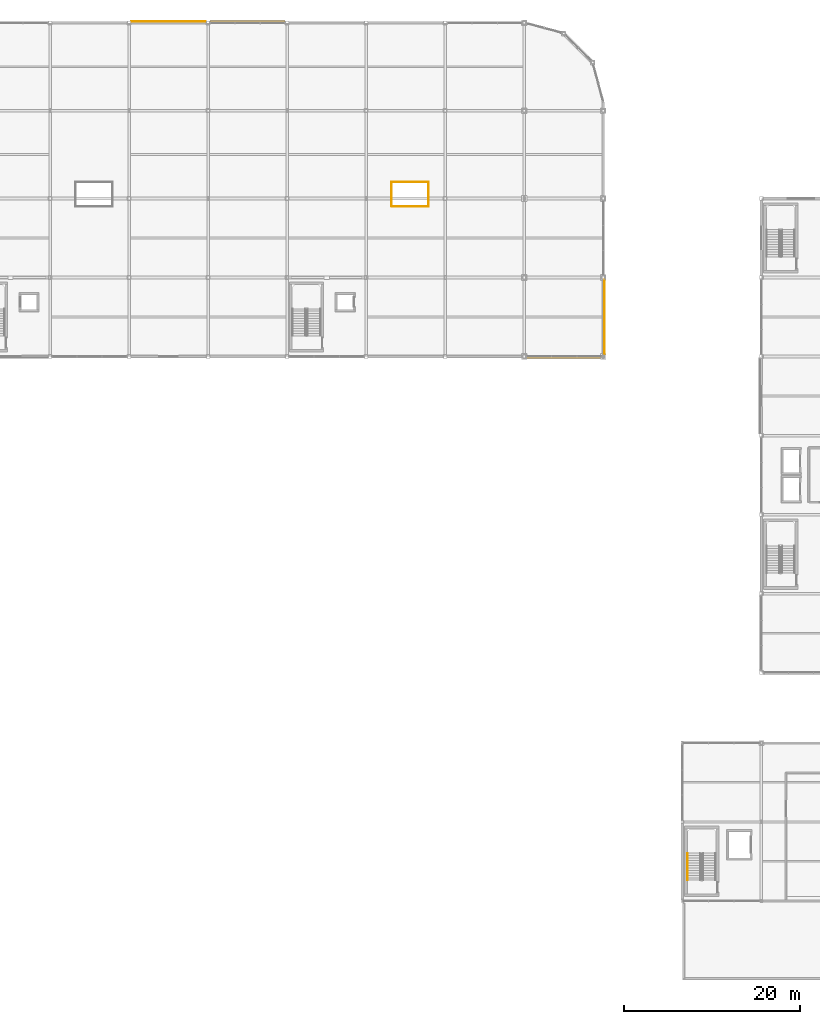
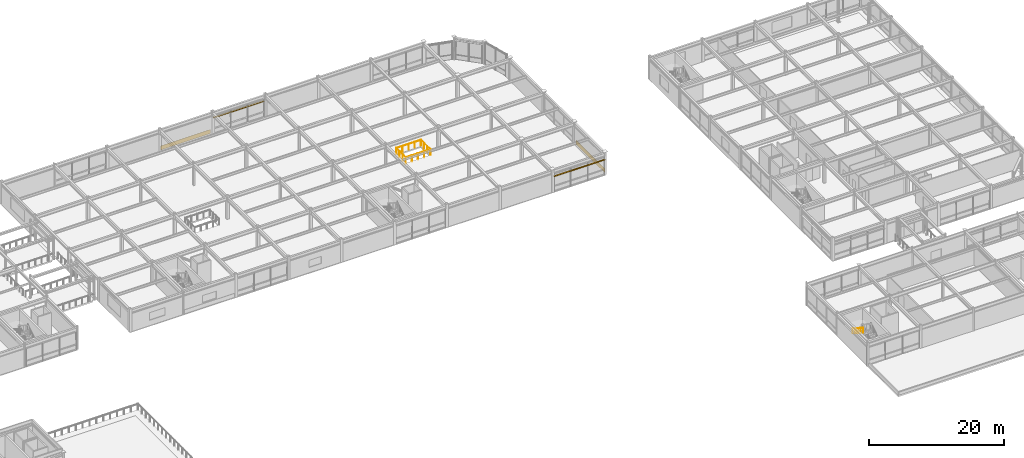
# One storey, part 64 of 70: 3 railings, 2 coverings, 2 shading devices.
"""IFC4 building model written with IfcOpenShell, lengths in metres."""

from ifc_helpers import new_model, si_unit, direction, frame, origin, origin_2d, place, context, subcontext, project, spatial, rectangle, circle, extrude, material, layer, layer_set, material_profile, profile_set, type_object, element, save


model = new_model("IFC4")

# Units and contexts
model_context = context("Model", 3, precision=1e-05, world=origin(), true_north=direction((0.0, 1.0)))
body_context = subcontext(model_context, "Body", "Model", "MODEL_VIEW")
ifc_project = project(units=[si_unit("LENGTHUNIT", "METRE"), si_unit("AREAUNIT", "SQUARE_METRE"), si_unit("VOLUMEUNIT", "CUBIC_METRE"), si_unit("PLANEANGLEUNIT", "RADIAN"), si_unit("MASSUNIT", "GRAM", prefix="KILO")], contexts=[model_context])

# Site, building, storey
site_placement = place(None, origin())
site = spatial("IfcSite", under=ifc_project, at=site_placement, CompositionType="ELEMENT")
building_placement = place(site_placement, origin())
building = spatial("IfcBuilding", under=site, at=building_placement, Name="Suzunagisa Mobility Hub", CompositionType="ELEMENT")
storey_placement = place(building_placement, frame((0.0, 0.0, 13.5)))
storey = spatial("IfcBuildingStorey", under=building, at=storey_placement, Name="L03", CompositionType="ELEMENT", Elevation=13.5)

# Railings
ifc_material_1 = material(Name="Stainless Steel SUS304", Category="metal")
railing_type_1 = type_object("IfcRailingType", Name="Interior Well Guardrail IGR-01", PredefinedType="GUARDRAIL", material=ifc_material_1)
railing_1_placement = place(storey_placement, frame((101.89990234375, 99.840087890625, 0.0)))
element("IfcRailing", 1, at=railing_1_placement, inside=storey, type_object=railing_type_1, Name="L03 Smoke-Relief Lightwell Guardrail LG-63S", PredefinedType="GUARDRAIL", context=body_context, shape_type="SweptSolid", body=[
    extrude(circle(Radius=0.02392578125, at=origin_2d()), frame((0.0, 0.0, 1.09619140625), z_axis=(0.0, -1.0, 0.0), x_axis=(1.0, 0.0, 0.0)), (0.0, 0.0, 1.0), 2.739990234375),
    extrude(circle(Radius=0.02392578125, at=origin_2d()), frame((0.0, -2.739990234375, 1.09619140625), z_axis=(1.0, 0.0, 0.0), x_axis=(0.0, 1.0, 0.0)), (0.0, 0.0, 1.0), 4.2001953125),
    extrude(circle(Radius=0.02099609375, at=origin_2d()), origin(), (0.0, 0.0, 1.0), 1.072021484375),
    extrude(circle(Radius=0.02099609375, at=origin_2d()), frame((0.0, -0.913330078125, 0.0)), (0.0, 0.0, 1.0), 1.072021484375),
    extrude(circle(Radius=0.02099609375, at=origin_2d()), frame((0.0, -1.82666015625, 0.0)), (0.0, 0.0, 1.0), 1.072021484375),
    extrude(circle(Radius=0.02099609375, at=origin_2d()), frame((0.0, -2.739990234375, 0.0)), (0.0, 0.0, 1.0), 1.072021484375),
    extrude(circle(Radius=0.02099609375, at=origin_2d()), frame((1.050048828125, -2.739990234375, 0.0)), (0.0, 0.0, 1.0), 1.072021484375),
    extrude(circle(Radius=0.02099609375, at=origin_2d()), frame((2.10009765625, -2.739990234375, 0.0)), (0.0, 0.0, 1.0), 1.072021484375),
    extrude(circle(Radius=0.02099609375, at=origin_2d()), frame((3.150146484375, -2.739990234375, 0.0)), (0.0, 0.0, 1.0), 1.072021484375),
    extrude(circle(Radius=0.02099609375, at=origin_2d()), frame((4.2001953125, -2.739990234375, 0.0)), (0.0, 0.0, 1.0), 1.072021484375),
])
railing_2_placement = place(storey_placement, frame((106.10009765625, 97.159912109375, 0.0)))
element("IfcRailing", 2, at=railing_2_placement, inside=storey, type_object=railing_type_1, Name="L03 Smoke-Relief Lightwell Guardrail LG-64N", PredefinedType="GUARDRAIL", context=body_context, shape_type="SweptSolid", body=[
    extrude(circle(Radius=0.02392578125, at=origin_2d()), frame((0.0, 0.0, 1.09619140625), z_axis=(0.0, 1.0, 0.0), x_axis=(-1.0, 0.0, 0.0)), (0.0, 0.0, 1.0), 2.739990234375),
    extrude(circle(Radius=0.02392578125, at=origin_2d()), frame((0.0, 2.739990234375, 1.09619140625), z_axis=(-1.0, 0.0, 0.0), x_axis=(0.0, -1.0, 0.0)), (0.0, 0.0, 1.0), 4.2001953125),
    extrude(circle(Radius=0.02099609375, at=origin_2d()), origin(), (0.0, 0.0, 1.0), 1.072021484375),
    extrude(circle(Radius=0.02099609375, at=origin_2d()), frame((0.0, 0.913330078125, 0.0)), (0.0, 0.0, 1.0), 1.072021484375),
    extrude(circle(Radius=0.02099609375, at=origin_2d()), frame((0.0, 1.82666015625, 0.0)), (0.0, 0.0, 1.0), 1.072021484375),
    extrude(circle(Radius=0.02099609375, at=origin_2d()), frame((0.0, 2.739990234375, 0.0)), (0.0, 0.0, 1.0), 1.072021484375),
    extrude(circle(Radius=0.02099609375, at=origin_2d()), frame((-1.050048828125, 2.739990234375, 0.0)), (0.0, 0.0, 1.0), 1.072021484375),
    extrude(circle(Radius=0.02099609375, at=origin_2d()), frame((-2.10009765625, 2.739990234375, 0.0)), (0.0, 0.0, 1.0), 1.072021484375),
    extrude(circle(Radius=0.02099609375, at=origin_2d()), frame((-3.150146484375, 2.739990234375, 0.0)), (0.0, 0.0, 1.0), 1.072021484375),
    extrude(circle(Radius=0.02099609375, at=origin_2d()), frame((-4.2001953125, 2.739990234375, 0.0)), (0.0, 0.0, 1.0), 1.072021484375),
])

# Coverings
ifc_material_2 = material(Name="Vitreous Porcelain Enamel Aluminum Cladding", Category="aluminium")
ifc_layer = layer(ifc_material_2, 0.034912109375)
ifc_layer_set = layer_set([ifc_layer], Name="Vitreous Porcelain Enamel Aluminum Cladding")
covering_type = type_object("IfcCoveringType", Name="Porcelain Enamel Spandrel Cladding Band CLD-01", PredefinedType="CLADDING", material=ifc_layer_set)
for number, where, z_axis, x_axis, name in (
    (3, (126.137451171875, 84.5, 0.06005859375), (0.0, 0.0, 1.0), (0.0, 1.0, 0.0), "L03 Porcelain Spandrel Cladding Band CLD-23"),
    (4, (76.5, 118.16748046875, 0.06005859375), (0.0, 0.0, 1.0), (-1.0, 0.0, 0.0), "L03 Porcelain Spandrel Cladding Band CLD-24"),
):
    element("IfcCovering", number, at=place(storey_placement, frame(where, z_axis=z_axis, x_axis=x_axis)), inside=storey, type_object=covering_type, Name=name, PredefinedType="CLADDING", context=body_context, shape_type="SweptSolid", body=[
        extrude(rectangle(XDim=8.5, YDim=0.034912109375, at=origin_2d()), origin(), (0.0, 0.0, 1.0), 0.719970703125),
    ])

# Shading devices
ifc_material_3 = material(Name="Fluoropolymer-Coated Extruded Aluminum 6063-T5", Category="aluminium")
ifc_material_profile_1 = material_profile(ifc_material_3, rectangle(XDim=0.280029296875, YDim=0.044921875, at=origin_2d()), Name="FIN-280x45")
ifc_profile_set_1 = profile_set([ifc_material_profile_1], Name="Fluoropolymer-Coated Extruded Aluminum 6063-T5")
shading_device_type_1 = type_object("IfcShadingDeviceType", Name="Streamline Aluminum Sunshade SF-02 FIN-280x45", PredefinedType="JALOUSIE", material=ifc_profile_set_1)
shading_device_1_placement = place(storey_placement, frame((89.77001953125, 118.107421875, 2.800048828125), z_axis=(-1.0, 0.0, 0.0), x_axis=(0.0, -1.0, 0.0)))
element("IfcShadingDevice", 5, at=shading_device_1_placement, inside=storey, type_object=shading_device_type_1, Name="L03 Streamline Speed-Rail Sunshade Fin SF-26", PredefinedType="JALOUSIE", context=body_context, shape_type="SweptSolid", body=[
    extrude(rectangle(XDim=0.280029296875, YDim=0.044921875, at=origin_2d()), origin(), (0.0, 0.0, 1.0), 8.5400390625),
])
ifc_material_profile_2 = material_profile(ifc_material_3, rectangle(XDim=0.280029296875, YDim=0.044921875, at=origin_2d()), Name="FIN-280x45")
ifc_profile_set_2 = profile_set([ifc_material_profile_2], Name="Fluoropolymer-Coated Extruded Aluminum 6063-T5")
shading_device_type_2 = type_object("IfcShadingDeviceType", Name="Streamline Aluminum Sunshade SF-03 FIN-280x45", PredefinedType="USERDEFINED", material=ifc_profile_set_2)
shading_device_2_placement = place(storey_placement, frame((117.22998046875, 79.892578125, 2.7900390625), z_axis=(1.0, 0.0, 0.0), x_axis=(0.0, 1.0, 0.0)))
element("IfcShadingDevice", 6, at=shading_device_2_placement, inside=storey, type_object=shading_device_type_2, Name="L03 Streamline Speed-Rail Sunshade Fin SF-25", ObjectType="SUNSHADE FIN", PredefinedType="USERDEFINED", context=body_context, shape_type="SweptSolid", body=[
    extrude(rectangle(XDim=0.280029296875, YDim=0.044921875, at=origin_2d()), origin(), (0.0, 0.0, 1.0), 8.64013671875),
])

# Railing
railing_type_2 = type_object("IfcRailingType", Name="Tubular Stainless Stair Handrail IHR-01", PredefinedType="HANDRAIL", material=ifc_material_1)
railing_3_placement = place(storey_placement, frame((135.610107421875, 23.43994140625, 2.27490234375)))
element("IfcRailing", 7, at=railing_3_placement, inside=storey, type_object=railing_type_2, Name="L03 ST-09 stair handrail 2", PredefinedType="HANDRAIL", context=body_context, shape_type="SweptSolid", body=[
    extrude(circle(Radius=0.02392578125, at=origin_2d()), frame((0.0, 0.0, 0.8759765625), z_axis=(0.0, -0.847979421464, 0.530029150871), x_axis=(1.0, 0.0, 0.0)), (0.0, 0.0, 1.0), 3.632080078125),
    extrude(circle(Radius=0.02099609375, at=origin_2d()), origin(), (0.0, 0.0, 1.0), 0.851806640625),
    extrude(circle(Radius=0.02099609375, at=origin_2d()), frame((0.0, -0.77001953125, 0.481201171875)), (0.0, 0.0, 1.0), 0.851806640625),
    extrude(circle(Radius=0.02099609375, at=origin_2d()), frame((0.0, -1.5400390625, 0.96240234375)), (0.0, 0.0, 1.0), 0.851806640625),
    extrude(circle(Radius=0.02099609375, at=origin_2d()), frame((0.0, -2.309814453125, 1.44384765625)), (0.0, 0.0, 1.0), 0.851806640625),
    extrude(circle(Radius=0.02099609375, at=origin_2d()), frame((0.0, -3.079833984375, 1.925048828125)), (0.0, 0.0, 1.0), 0.851806640625),
])

save(model, "model.ifc")
